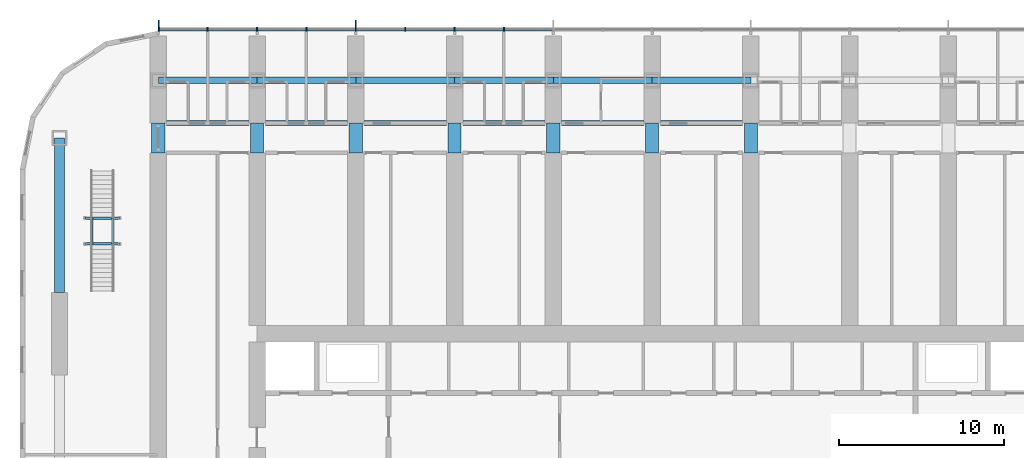
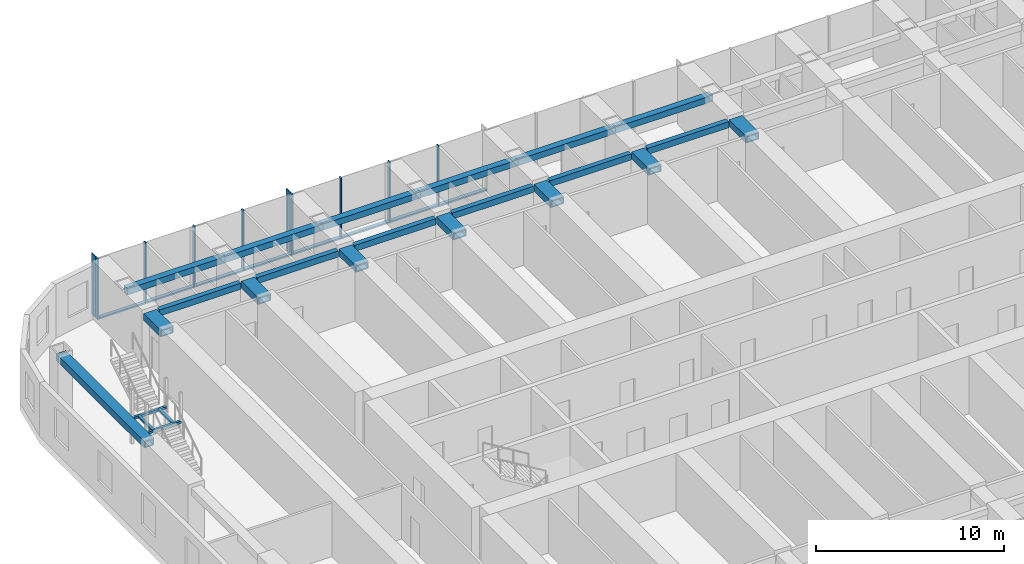
# One storey, part 6 of 28: 24 beams, 18 members, 1 element without a shape of its own.
"""IFC4 building model written with IfcOpenShell, lengths in metres."""

from ifc_helpers import new_model, si_unit, direction, frame, origin, origin_2d, place, context, subcontext, project, spatial, rectangle, hollow_rectangle, extrude, material, material_profile, profile_set, type_object, element, aggregate, save


model = new_model("IFC4")

# Units and contexts
model_context = context("Model", 3, precision=1e-05, world=origin(), true_north=direction((0.0, 1.0)))
body_context = subcontext(model_context, "Body", "Model", "MODEL_VIEW")
ifc_project = project(units=[si_unit("LENGTHUNIT", "METRE"), si_unit("AREAUNIT", "SQUARE_METRE"), si_unit("VOLUMEUNIT", "CUBIC_METRE"), si_unit("PLANEANGLEUNIT", "RADIAN"), si_unit("MASSUNIT", "GRAM", prefix="KILO")], contexts=[model_context])

# Site, building, storey
site_placement = place(None, origin())
site = spatial("IfcSite", under=ifc_project, at=site_placement, CompositionType="ELEMENT")
building_placement = place(site_placement, origin())
building = spatial("IfcBuilding", under=site, at=building_placement, Name="Orbita Commons", CompositionType="ELEMENT")
storey_placement = place(building_placement, frame((0.0, 0.0, 23.949951171875)))
storey = spatial("IfcBuildingStorey", under=building, at=storey_placement, Name="L05", CompositionType="ELEMENT", Elevation=23.949951171875)

# Curtain wall, members
ifc_material_1 = material(Name="Anodised aluminium frame, pale silver", Category="aluminium")
curtain_wall_type = type_object("IfcCurtainWallType", Name="Unitised curtain wall CW-T, vision and spandrel", PredefinedType="NOTDEFINED", material=ifc_material_1)
curtain_wall_placement = place(storey_placement, origin())
curtain_wall = element("IfcCurtainWall", 1, at=curtain_wall_placement, inside=storey, type_object=curtain_wall_type, Name="Curtain wall north L05", PredefinedType="NOTDEFINED")
ifc_material_2 = material(Name="Anodised aluminium, pale silver", Category="aluminium")
ifc_material_profile_1 = material_profile(ifc_material_2, rectangle(XDim=0.080078125, YDim=0.219970703125, at=origin_2d()), Name="AL 80x220")
ifc_profile_set_1 = profile_set([ifc_material_profile_1], Name="Anodised aluminium, pale silver")
member_type_1 = type_object("IfcMemberType", Name="Curtain wall mullion 80x220", PredefinedType="MULLION", material=ifc_profile_set_1)
member_1_placement = place(storey_placement, frame((33.0, 56.7099609375, -0.449951171875), z_axis=(0.0, 0.0, 1.0), x_axis=(-1.0, 0.0, 0.0)))
member_1 = element("IfcMember", 2, at=member_1_placement, type_object=member_type_1, Name="Mullion 14 CW-L05-N", PredefinedType="MULLION", context=body_context, shape_type="SweptSolid", body=[
    extrude(rectangle(XDim=0.080078125, YDim=0.219970703125, at=origin_2d()), origin(), (0.0, 0.0, 1.0), 3.949951171875),
])
member_2_placement = place(storey_placement, frame((30.0, 56.7099609375, -0.449951171875), z_axis=(0.0, 0.0, 1.0), x_axis=(-1.0, 0.0, 0.0)))
member_2 = element("IfcMember", 3, at=member_2_placement, type_object=member_type_1, Name="Mullion 15 CW-L05-N", PredefinedType="MULLION", context=body_context, shape_type="SweptSolid", body=[
    extrude(rectangle(XDim=0.080078125, YDim=0.219970703125, at=origin_2d()), origin(), (0.0, 0.0, 1.0), 3.949951171875),
])
member_3_placement = place(storey_placement, frame((27.0, 56.7099609375, -0.449951171875), z_axis=(0.0, 0.0, 1.0), x_axis=(-1.0, 0.0, 0.0)))
member_3 = element("IfcMember", 4, at=member_3_placement, type_object=member_type_1, Name="Mullion 16 CW-L05-N", PredefinedType="MULLION", context=body_context, shape_type="SweptSolid", body=[
    extrude(rectangle(XDim=0.080078125, YDim=0.219970703125, at=origin_2d()), origin(), (0.0, 0.0, 1.0), 3.949951171875),
])
member_4_placement = place(storey_placement, frame((24.0, 56.7099609375, -0.449951171875), z_axis=(0.0, 0.0, 1.0), x_axis=(-1.0, 0.0, 0.0)))
member_4 = element("IfcMember", 5, at=member_4_placement, type_object=member_type_1, Name="Mullion 17 CW-L05-N", PredefinedType="MULLION", context=body_context, shape_type="SweptSolid", body=[
    extrude(rectangle(XDim=0.080078125, YDim=0.219970703125, at=origin_2d()), origin(), (0.0, 0.0, 1.0), 3.949951171875),
])
member_5_placement = place(storey_placement, frame((21.0, 56.7099609375, -0.449951171875), z_axis=(0.0, 0.0, 1.0), x_axis=(-1.0, 0.0, 0.0)))
member_5 = element("IfcMember", 6, at=member_5_placement, type_object=member_type_1, Name="Mullion 18 CW-L05-N", PredefinedType="MULLION", context=body_context, shape_type="SweptSolid", body=[
    extrude(rectangle(XDim=0.080078125, YDim=0.219970703125, at=origin_2d()), origin(), (0.0, 0.0, 1.0), 3.949951171875),
])
member_6_placement = place(storey_placement, frame((18.0, 56.7099609375, -0.449951171875), z_axis=(0.0, 0.0, 1.0), x_axis=(-1.0, 0.0, 0.0)))
member_6 = element("IfcMember", 7, at=member_6_placement, type_object=member_type_1, Name="Mullion 19 CW-L05-N", PredefinedType="MULLION", context=body_context, shape_type="SweptSolid", body=[
    extrude(rectangle(XDim=0.080078125, YDim=0.219970703125, at=origin_2d()), origin(), (0.0, 0.0, 1.0), 3.949951171875),
])
member_7_placement = place(storey_placement, frame((15.0, 56.7099609375, -0.449951171875), z_axis=(0.0, 0.0, 1.0), x_axis=(-1.0, 0.0, 0.0)))
member_7 = element("IfcMember", 8, at=member_7_placement, type_object=member_type_1, Name="Mullion 20 CW-L05-N", PredefinedType="MULLION", context=body_context, shape_type="SweptSolid", body=[
    extrude(rectangle(XDim=0.080078125, YDim=0.219970703125, at=origin_2d()), origin(), (0.0, 0.0, 1.0), 3.949951171875),
])
member_8_placement = place(storey_placement, frame((12.0400390625, 56.7099609375, -0.449951171875), z_axis=(0.0, 0.0, 1.0), x_axis=(-1.0, 0.0, 0.0)))
member_8 = element("IfcMember", 9, at=member_8_placement, type_object=member_type_1, Name="Mullion 21 CW-L05-N", PredefinedType="MULLION", context=body_context, shape_type="SweptSolid", body=[
    extrude(rectangle(XDim=0.080078125, YDim=0.219970703125, at=origin_2d()), origin(), (0.0, 0.0, 1.0), 3.949951171875),
])
ifc_material_3 = material(Name="Anodised aluminium, pale silver", Category="aluminium")
ifc_material_profile_2 = material_profile(ifc_material_3, rectangle(XDim=0.219970703125, YDim=0.10009765625, at=origin_2d()), Name="AL 220x100")
ifc_profile_set_2 = profile_set([ifc_material_profile_2], Name="Anodised aluminium, pale silver")
member_type_2 = type_object("IfcMemberType", Name="Curtain wall stack transom 220x100", PredefinedType="USERDEFINED", material=ifc_profile_set_2)
member_9_placement = place(storey_placement, frame((35.9599609375, 56.7099609375, -0.39990234375), z_axis=(-1.0, 0.0, 0.0), x_axis=(0.0, -1.0, 0.0)))
member_9 = element("IfcMember", 10, at=member_9_placement, type_object=member_type_2, Name="Transom 13.1 CW-L05-N", ObjectType="TRANSOM", PredefinedType="USERDEFINED", context=body_context, shape_type="SweptSolid", body=[
    extrude(rectangle(XDim=0.219970703125, YDim=0.10009765625, at=origin_2d()), origin(), (0.0, 0.0, 1.0), 2.919921875),
])
member_10_placement = place(storey_placement, frame((32.9599609375, 56.7099609375, -0.39990234375), z_axis=(-1.0, 0.0, 0.0), x_axis=(0.0, -1.0, 0.0)))
member_10 = element("IfcMember", 11, at=member_10_placement, type_object=member_type_2, Name="Transom 14.1 CW-L05-N", ObjectType="TRANSOM", PredefinedType="USERDEFINED", context=body_context, shape_type="SweptSolid", body=[
    extrude(rectangle(XDim=0.219970703125, YDim=0.10009765625, at=origin_2d()), origin(), (0.0, 0.0, 1.0), 2.919921875),
])
member_11_placement = place(storey_placement, frame((29.9599609375, 56.7099609375, -0.39990234375), z_axis=(-1.0, 0.0, 0.0), x_axis=(0.0, -1.0, 0.0)))
member_11 = element("IfcMember", 12, at=member_11_placement, type_object=member_type_2, Name="Transom 15.1 CW-L05-N", ObjectType="TRANSOM", PredefinedType="USERDEFINED", context=body_context, shape_type="SweptSolid", body=[
    extrude(rectangle(XDim=0.219970703125, YDim=0.10009765625, at=origin_2d()), origin(), (0.0, 0.0, 1.0), 2.919921875),
])
member_12_placement = place(storey_placement, frame((26.9599609375, 56.7099609375, -0.39990234375), z_axis=(-1.0, 0.0, 0.0), x_axis=(0.0, -1.0, 0.0)))
member_12 = element("IfcMember", 13, at=member_12_placement, type_object=member_type_2, Name="Transom 16.1 CW-L05-N", ObjectType="TRANSOM", PredefinedType="USERDEFINED", context=body_context, shape_type="SweptSolid", body=[
    extrude(rectangle(XDim=0.219970703125, YDim=0.10009765625, at=origin_2d()), origin(), (0.0, 0.0, 1.0), 2.919921875),
])
member_13_placement = place(storey_placement, frame((23.9599609375, 56.7099609375, -0.39990234375), z_axis=(-1.0, 0.0, 0.0), x_axis=(0.0, -1.0, 0.0)))
member_13 = element("IfcMember", 14, at=member_13_placement, type_object=member_type_2, Name="Transom 17.1 CW-L05-N", ObjectType="TRANSOM", PredefinedType="USERDEFINED", context=body_context, shape_type="SweptSolid", body=[
    extrude(rectangle(XDim=0.219970703125, YDim=0.10009765625, at=origin_2d()), origin(), (0.0, 0.0, 1.0), 2.919921875),
])
member_14_placement = place(storey_placement, frame((20.9599609375, 56.7099609375, -0.39990234375), z_axis=(-1.0, 0.0, 0.0), x_axis=(0.0, -1.0, 0.0)))
member_14 = element("IfcMember", 15, at=member_14_placement, type_object=member_type_2, Name="Transom 18.1 CW-L05-N", ObjectType="TRANSOM", PredefinedType="USERDEFINED", context=body_context, shape_type="SweptSolid", body=[
    extrude(rectangle(XDim=0.219970703125, YDim=0.10009765625, at=origin_2d()), origin(), (0.0, 0.0, 1.0), 2.919921875),
])
member_15_placement = place(storey_placement, frame((17.9599609375, 56.7099609375, -0.39990234375), z_axis=(-1.0, 0.0, 0.0), x_axis=(0.0, -1.0, 0.0)))
member_15 = element("IfcMember", 16, at=member_15_placement, type_object=member_type_2, Name="Transom 19.1 CW-L05-N", ObjectType="TRANSOM", PredefinedType="USERDEFINED", context=body_context, shape_type="SweptSolid", body=[
    extrude(rectangle(XDim=0.219970703125, YDim=0.10009765625, at=origin_2d()), origin(), (0.0, 0.0, 1.0), 2.919921875),
])
member_16_placement = place(storey_placement, frame((14.9599609375, 56.7099609375, -0.39990234375), z_axis=(-1.0, 0.0, 0.0), x_axis=(0.0, -1.0, 0.0)))
member_16 = element("IfcMember", 17, at=member_16_placement, type_object=member_type_2, Name="Transom 20.1 CW-L05-N", ObjectType="TRANSOM", PredefinedType="USERDEFINED", context=body_context, shape_type="SweptSolid", body=[
    extrude(rectangle(XDim=0.219970703125, YDim=0.10009765625, at=origin_2d()), origin(), (0.0, 0.0, 1.0), 2.8798828125),
])

# Beams
ifc_material_4 = material(Name="Steel ASTM A992", Category="steel")
ifc_material_profile_3 = material_profile(ifc_material_4, hollow_rectangle(XDim=0.14990234375, YDim=0.14990234375, WallThickness=0.008056640625, at=origin_2d()), Name="SHS 150x150x8")
ifc_profile_set_3 = profile_set([ifc_material_profile_3], Name="Steel ASTM A992")
beam_type_1 = type_object("IfcBeamType", Name="Landing frame beam SHS 150x150x8", PredefinedType="BEAM", material=ifc_profile_set_3)
for number, where, z_axis, x_axis, name in (
    (18, (7.550048828125, 43.675048828125, 1.60009765625), (1.0, 0.0, 0.0), (0.0, 1.0, 0.0), "Neighbourhood stair L05 to L06 landing frame beam 1"),
    (19, (7.550048828125, 45.235107421875, 1.60009765625), (1.0, 0.0, 0.0), (0.0, 1.0, 0.0), "Neighbourhood stair L05 to L06 landing frame beam 2"),
):
    element("IfcBeam", number, at=place(storey_placement, frame(where, z_axis=z_axis, x_axis=x_axis)), inside=storey, type_object=beam_type_1, Name=name, PredefinedType="BEAM", context=body_context, shape_type="SweptSolid", body=[
        extrude(hollow_rectangle(XDim=0.14990234375, YDim=0.14990234375, WallThickness=0.008056640625, at=origin_2d()), origin(), (0.0, 0.0, 1.0), 2.099853515625),
    ])
for number, where, z_axis, x_axis, name in (
    (20, (7.97509765625, 43.675048828125, 1.60009765625), (0.0, 1.0, 0.0), (-1.0, 0.0, 0.0), "Neighbourhood stair L05 to L06 landing frame beam 3"),
    (21, (9.22509765625, 43.675048828125, 1.60009765625), (0.0, 1.0, 0.0), (-1.0, 0.0, 0.0), "Neighbourhood stair L05 to L06 landing frame beam 4"),
):
    element("IfcBeam", number, at=place(storey_placement, frame(where, z_axis=z_axis, x_axis=x_axis)), inside=storey, type_object=beam_type_1, Name=name, PredefinedType="BEAM", context=body_context, shape_type="SweptSolid", body=[
        extrude(hollow_rectangle(XDim=0.14990234375, YDim=0.14990234375, WallThickness=0.008056640625, at=origin_2d()), origin(), (0.0, 0.0, 1.0), 1.56005859375),
    ])
ifc_material_5 = material(Name="Steel ASTM A572 Gr 50 welded plate", Category="steel")
ifc_material_profile_4 = material_profile(ifc_material_5, hollow_rectangle(XDim=0.300048828125, YDim=0.39990234375, WallThickness=0.0400390625, at=origin_2d()), Name="BOX 400x300x40")
ifc_profile_set_4 = profile_set([ifc_material_profile_4], Name="Steel ASTM A572 Gr 50 welded plate")
beam_type_2 = type_object("IfcBeamType", Name="Steel corridor link BOX 400x300x40", PredefinedType="BEAM", material=ifc_profile_set_4)
for number, where, z_axis, x_axis, name in (
    (22, (12.5, 51.0, 3.300048828125), (1.0, 0.0, 0.0), (0.0, 1.0, 0.0), "Corridor beam NB 3-4 L05"),
    (23, (18.5, 51.0, 3.300048828125), (1.0, 0.0, 0.0), (0.0, 1.0, 0.0), "Corridor beam NB 4-5 L05"),
    (24, (24.5, 51.0, 3.300048828125), (1.0, 0.0, 0.0), (0.0, 1.0, 0.0), "Corridor beam NB 5-6 L05"),
    (25, (30.5, 51.0, 3.300048828125), (1.0, 0.0, 0.0), (0.0, 1.0, 0.0), "Corridor beam NB 6-7 L05"),
    (26, (36.5, 51.0, 3.300048828125), (1.0, 0.0, 0.0), (0.0, 1.0, 0.0), "Corridor beam NB 7-8 L05"),
    (27, (42.5, 51.0, 3.300048828125), (1.0, 0.0, 0.0), (0.0, 1.0, 0.0), "Corridor beam NB 8-9 L05"),
):
    element("IfcBeam", number, at=place(storey_placement, frame(where, z_axis=z_axis, x_axis=x_axis)), inside=storey, type_object=beam_type_2, Name=name, PredefinedType="BEAM", context=body_context, shape_type="SweptSolid", body=[
        extrude(hollow_rectangle(XDim=0.300048828125, YDim=0.39990234375, WallThickness=0.0400390625, at=origin_2d()), origin(), (0.0, 0.0, 1.0), 5.0),
    ])
ifc_material_6 = material(Name="Steel ASTM A572 Gr 50 welded plate", Category="steel")
ifc_material_profile_5 = material_profile(ifc_material_6, hollow_rectangle(XDim=0.800048828125, YDim=0.449951171875, WallThickness=0.06005859375, at=origin_2d()), Name="BOX 450x800x60")
ifc_profile_set_5 = profile_set([ifc_material_profile_5], Name="Steel ASTM A572 Gr 50 welded plate")
beam_type_3 = type_object("IfcBeamType", Name="Steel coupling link BOX 450x800x60", PredefinedType="LINTEL", material=ifc_profile_set_5)
for number, where, z_axis, x_axis, name in (
    (28, (12.0, 49.199951171875, 3.275146484375), (0.0, 1.0, 0.0), (-1.0, 0.0, 0.0), "Coupling beam 3 north L05"),
    (29, (18.0, 49.199951171875, 3.275146484375), (0.0, 1.0, 0.0), (-1.0, 0.0, 0.0), "Coupling beam 4 north L05"),
    (30, (24.0, 49.199951171875, 3.275146484375), (0.0, 1.0, 0.0), (-1.0, 0.0, 0.0), "Coupling beam 5 north L05"),
    (31, (30.0, 49.199951171875, 3.275146484375), (0.0, 1.0, 0.0), (-1.0, 0.0, 0.0), "Coupling beam 6 north L05"),
    (32, (36.0, 49.199951171875, 3.275146484375), (0.0, 1.0, 0.0), (-1.0, 0.0, 0.0), "Coupling beam 7 north L05"),
    (33, (42.0, 49.199951171875, 3.275146484375), (0.0, 1.0, 0.0), (-1.0, 0.0, 0.0), "Coupling beam 8 north L05"),
    (34, (48.0, 49.199951171875, 3.275146484375), (0.0, 1.0, 0.0), (-1.0, 0.0, 0.0), "Coupling beam 9 north L05"),
):
    element("IfcBeam", number, at=place(storey_placement, frame(where, z_axis=z_axis, x_axis=x_axis)), inside=storey, type_object=beam_type_3, Name=name, PredefinedType="LINTEL", context=body_context, shape_type="SweptSolid", body=[
        extrude(hollow_rectangle(XDim=0.800048828125, YDim=0.449951171875, WallThickness=0.06005859375, at=origin_2d()), origin(), (0.0, 0.0, 1.0), 1.800048828125),
    ])
ifc_material_7 = material(Name="Steel ASTM A572 Gr 50 welded plate", Category="steel")
ifc_material_profile_6 = material_profile(ifc_material_7, hollow_rectangle(XDim=0.60009765625, YDim=0.449951171875, WallThickness=0.06005859375, at=origin_2d()), Name="BOX 450x600x60")
ifc_profile_set_6 = profile_set([ifc_material_profile_6], Name="Steel ASTM A572 Gr 50 welded plate")
beam_type_4 = type_object("IfcBeamType", Name="Steel end frame link BOX 450x600x60", PredefinedType="BEAM", material=ifc_profile_set_6)
beam_placement = place(storey_placement, frame((6.0, 40.699951171875, 3.275146484375), z_axis=(0.0, 1.0, 0.0), x_axis=(-1.0, 0.0, 0.0)))
element("IfcBeam", 35, at=beam_placement, inside=storey, type_object=beam_type_4, Name="End frame beam 2 D-E L05", PredefinedType="BEAM", context=body_context, shape_type="SweptSolid", body=[
    extrude(hollow_rectangle(XDim=0.60009765625, YDim=0.449951171875, WallThickness=0.06005859375, at=origin_2d()), origin(), (0.0, 0.0, 1.0), 9.400146484375),
])
ifc_material_8 = material(Name="Steel ASTM A572 Gr 50 welded plate", Category="steel")
ifc_material_profile_7 = material_profile(ifc_material_8, hollow_rectangle(XDim=0.39990234375, YDim=0.39990234375, WallThickness=0.0400390625, at=origin_2d()), Name="BOX 400x400x40")
ifc_profile_set_7 = profile_set([ifc_material_profile_7], Name="Steel ASTM A572 Gr 50 welded plate")
beam_type_5 = type_object("IfcBeamType", Name="Steel spandrel BOX 400x400x40", PredefinedType="SPANDREL", material=ifc_profile_set_7)
for number, where, z_axis, x_axis, name in (
    (36, (12.0, 53.60009765625, 3.300048828125), (1.0, 0.0, 0.0), (0.0, 1.0, 0.0), "Spandrel beam E 3-4 L05"),
    (37, (18.0, 53.60009765625, 3.300048828125), (1.0, 0.0, 0.0), (0.0, 1.0, 0.0), "Spandrel beam E 4-5 L05"),
    (38, (24.0, 53.60009765625, 3.300048828125), (1.0, 0.0, 0.0), (0.0, 1.0, 0.0), "Spandrel beam E 5-6 L05"),
    (39, (30.0, 53.60009765625, 3.300048828125), (1.0, 0.0, 0.0), (0.0, 1.0, 0.0), "Spandrel beam E 6-7 L05"),
    (40, (36.0, 53.60009765625, 3.300048828125), (1.0, 0.0, 0.0), (0.0, 1.0, 0.0), "Spandrel beam E 7-8 L05"),
    (41, (42.0, 53.60009765625, 3.300048828125), (1.0, 0.0, 0.0), (0.0, 1.0, 0.0), "Spandrel beam E 8-9 L05"),
):
    element("IfcBeam", number, at=place(storey_placement, frame(where, z_axis=z_axis, x_axis=x_axis)), inside=storey, type_object=beam_type_5, Name=name, PredefinedType="SPANDREL", context=body_context, shape_type="SweptSolid", body=[
        extrude(hollow_rectangle(XDim=0.39990234375, YDim=0.39990234375, WallThickness=0.0400390625, at=origin_2d()), origin(), (0.0, 0.0, 1.0), 6.0),
    ])

# Member
ifc_material_9 = material(Name="Anodised aluminium, pale silver", Category="aluminium")
ifc_material_profile_8 = material_profile(ifc_material_9, rectangle(XDim=0.06005859375, YDim=0.449951171875, at=origin_2d()), Name="FIN 60x450")
ifc_profile_set_8 = profile_set([ifc_material_profile_8], Name="Anodised aluminium, pale silver")
member_type_3 = type_object("IfcMemberType", Name="Vertical fin 60x450 pale aluminium", PredefinedType="USERDEFINED", material=ifc_profile_set_8)
member_17_placement = place(storey_placement, frame((24.0, 57.044921875, -0.449951171875), z_axis=(0.0, 0.0, 1.0), x_axis=(-1.0, 0.0, 0.0)))
member_17 = element("IfcMember", 42, at=member_17_placement, type_object=member_type_3, Name="Fin 17 CW-L05-N", ObjectType="FIN", PredefinedType="USERDEFINED", context=body_context, shape_type="SweptSolid", body=[
    extrude(rectangle(XDim=0.06005859375, YDim=0.449951171875, at=origin_2d()), origin(), (0.0, 0.0, 1.0), 3.949951171875),
])

member_18_placement = place(storey_placement, frame((12.0400390625, 57.044921875, -0.449951171875), z_axis=(0.0, 0.0, 1.0), x_axis=(-1.0, 0.0, 0.0)))
member_18 = element("IfcMember", 43, at=member_18_placement, type_object=member_type_3, Name="Fin 21 CW-L05-N", ObjectType="FIN", PredefinedType="USERDEFINED", context=body_context, shape_type="SweptSolid", body=[
    extrude(rectangle(XDim=0.06005859375, YDim=0.449951171875, at=origin_2d()), origin(), (0.0, 0.0, 1.0), 3.949951171875),
])

aggregate(curtain_wall, [member_1, member_2, member_3, member_4, member_17, member_5, member_6, member_7, member_8, member_18, member_9, member_10, member_11, member_12, member_13, member_14, member_15, member_16])

save(model, "model.ifc")
